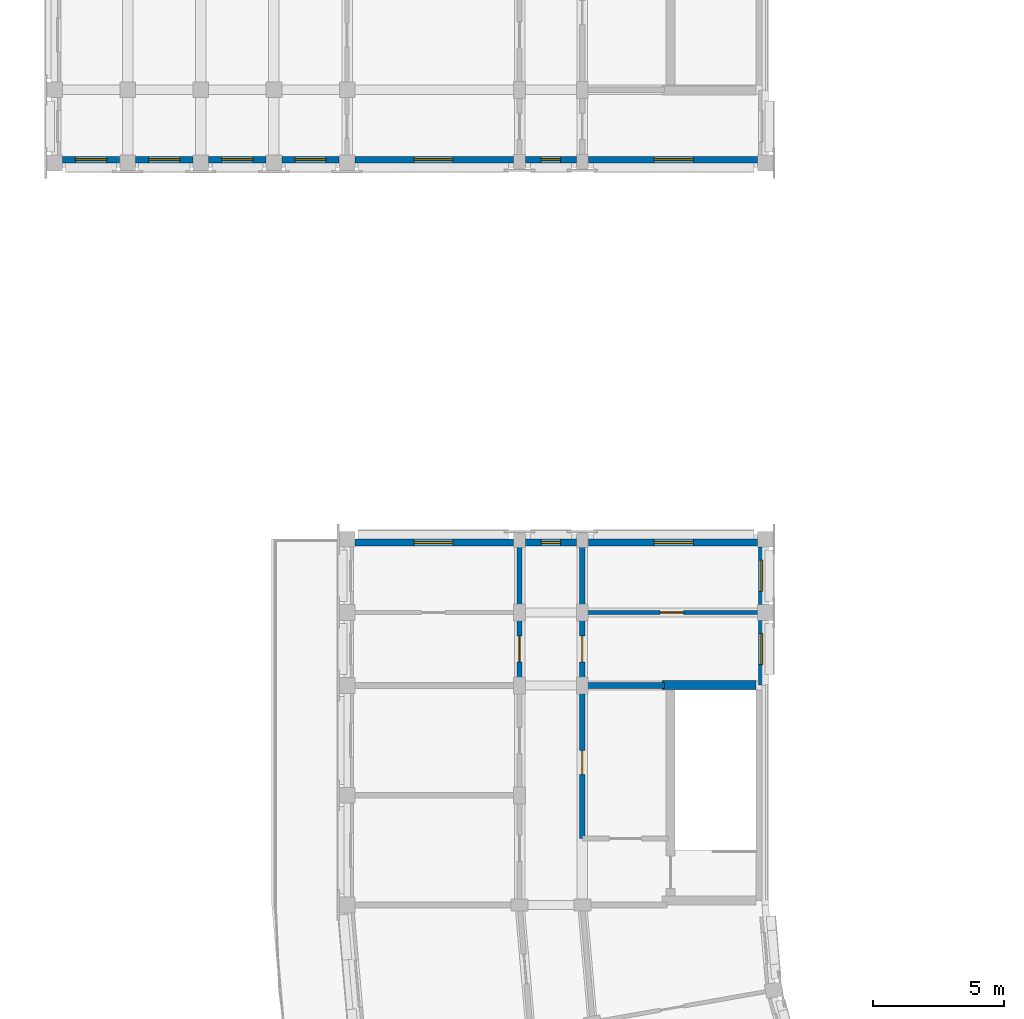
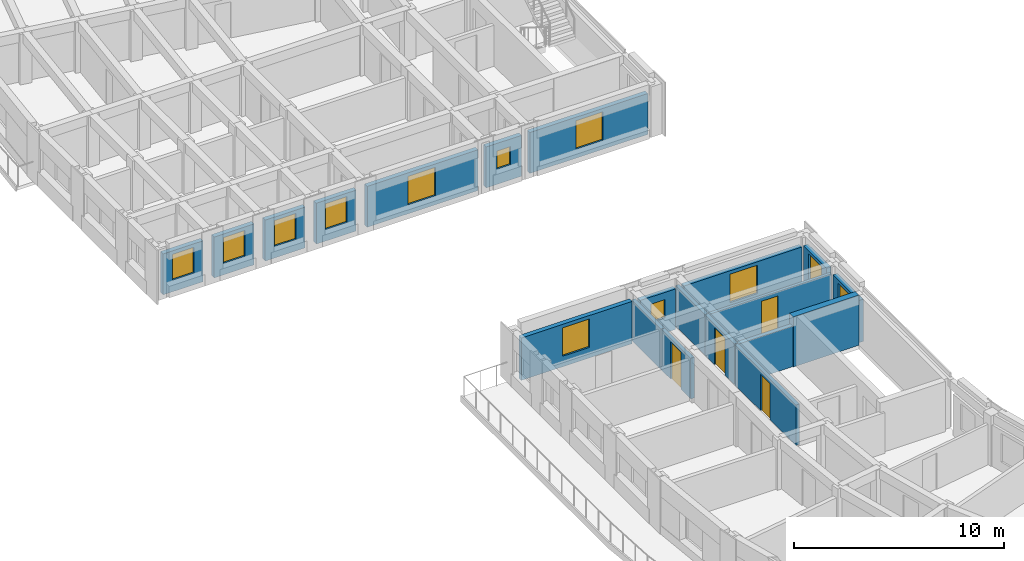
# One storey, part 20 of 53: 20 walls, 12 windows, 4 doors, 16 openings.
"""IFC4 building model written with IfcOpenShell, lengths in metres."""

from ifc_helpers import new_model, si_unit, direction, frame, frame_2d, origin, place, context, subcontext, project, spatial, rectangle, extrude, material, layer, layer_set, type_object, element, fill, save


model = new_model("IFC4")

# Units and contexts
model_context = context("Model", 3, precision=1e-05, world=origin(), true_north=direction((0.0, 1.0)))
body_context = subcontext(model_context, "Body", "Model", "MODEL_VIEW")
ifc_project = project(units=[si_unit("LENGTHUNIT", "METRE"), si_unit("AREAUNIT", "SQUARE_METRE"), si_unit("VOLUMEUNIT", "CUBIC_METRE"), si_unit("PLANEANGLEUNIT", "RADIAN"), si_unit("MASSUNIT", "GRAM", prefix="KILO")], contexts=[model_context])

# Site, building, storey
site_placement = place(None, origin())
site = spatial("IfcSite", under=ifc_project, at=site_placement, CompositionType="ELEMENT")
building_placement = place(site_placement, origin())
building = spatial("IfcBuilding", under=site, at=building_placement, Name="Kiranvali Square Residences", CompositionType="ELEMENT")
storey_placement = place(building_placement, frame((0.0, 0.0, 30.75)))
storey = spatial("IfcBuildingStorey", under=building, at=storey_placement, Name="L09", CompositionType="ELEMENT", Elevation=30.75)

# Wall, opening, door
ifc_material_1 = material(Name="Autoclaved aerated concrete blockwork masonry", Category="masonry")
ifc_layer_1 = layer(ifc_material_1, 0.199951171875)
ifc_layer_set_1 = layer_set([ifc_layer_1], Name="Autoclaved aerated concrete blockwork masonry")
wall_type_1 = type_object("IfcWallType", Name="WL-COR-200", PredefinedType="STANDARD", material=ifc_layer_set_1)
wall_1_placement = place(storey_placement, frame((22.39990234375, 50.75, 0.0), z_axis=(0.0, 0.0, 1.0), x_axis=(0.0, 1.0, 0.0)))
wall_1 = element("IfcWall", 1, at=wall_1_placement, inside=storey, type_object=wall_type_1, Name="L09 architectural wall WL-L09-C-S3-COR", PredefinedType="STANDARD", context=body_context, shape_type="SweptSolid", body=[
    extrude(rectangle(XDim=5.800048828125, YDim=0.199951171875, at=frame_2d((2.89990234375, 0.0))), origin(), (0.0, 0.0, 1.0), 2.35205078125),
])
opening_1_placement = place(wall_1_placement, frame((2.43994140625, 0.0, 0.0)))
opening_1 = element("IfcOpeningElement", 2, at=opening_1_placement, cuts=wall_1, Name="Opening FD-SVC-120", PredefinedType="OPENING", context=body_context, shape_type="SweptSolid", body=[
    extrude(rectangle(XDim=0.919921875, YDim=2.10009765625, at=frame_2d((0.4599609375, 1.050048828125))), frame((0.0, 0.10986328125, 0.0), z_axis=(0.0, -1.0, 0.0), x_axis=(1.0, 0.0, 0.0)), (0.0, 0.0, 1.0), 0.219970703125),
])
ifc_material_2 = material(Name="Fire-rated acoustic hardwood and mineral-core door assembly", Category="wood")
door_type_1 = type_object("IfcDoorType", Name="DR-SVC-900", OperationType="NOTDEFINED", PredefinedType="DOOR", material=ifc_material_2)
door_1_placement = place(opening_1_placement, origin())
door_1 = element("IfcDoor", 3, at=door_1_placement, inside=storey, type_object=door_type_1, Name="L09 door DR-L09-2265 (DR-SVC-900)", OperationType="SINGLE_SWING_LEFT", OverallHeight=2.10009765625, OverallWidth=0.919921875, PredefinedType="DOOR", context=body_context, shape_type="SweptSolid", body=[
    extrude(rectangle(XDim=0.919921875, YDim=2.10009765625, at=frame_2d((0.4599609375, 1.050048828125))), frame((0.0, 0.02490234375, 0.0), z_axis=(0.0, -1.0, 0.0), x_axis=(1.0, 0.0, 0.0)), (0.0, 0.0, 1.0), 0.050048828125),
])
fill(opening_1, door_1)

wall_2_placement = place(storey_placement, frame((22.39990234375, 56.60009765625, 0.0), z_axis=(0.0, 0.0, 1.0), x_axis=(0.0, 1.0, 0.0)))
wall_2 = element("IfcWall", 4, at=wall_2_placement, inside=storey, type_object=wall_type_1, Name="L09 architectural wall WL-L09-C-A2CI-0", PredefinedType="STANDARD", context=body_context, shape_type="SweptSolid", body=[
    extrude(rectangle(XDim=2.7998046875, YDim=0.199951171875, at=frame_2d((1.39990234375, 0.0))), origin(), (0.0, 0.0, 1.0), 2.35205078125),
])
opening_2_placement = place(wall_2_placement, frame((0.89990234375, 0.0, 0.0)))
opening_2 = element("IfcOpeningElement", 5, at=opening_2_placement, cuts=wall_2, Name="Opening FD-APT-60", PredefinedType="OPENING", context=body_context, shape_type="SweptSolid", body=[
    extrude(rectangle(XDim=1.0, YDim=2.14990234375, at=frame_2d((0.5, 1.074951171875))), frame((0.0, 0.10986328125, 0.0), z_axis=(0.0, -1.0, 0.0), x_axis=(1.0, 0.0, 0.0)), (0.0, 0.0, 1.0), 0.219970703125),
])
door_type_2 = type_object("IfcDoorType", Name="DR-APT-1000", OperationType="NOTDEFINED", PredefinedType="DOOR", material=ifc_material_2)
door_2_placement = place(opening_2_placement, frame((1.0, 0.0, 0.0), z_axis=(0.0, 0.0, 1.0), x_axis=(-1.0, 0.0, 0.0)))
door_2 = element("IfcDoor", 6, at=door_2_placement, inside=storey, type_object=door_type_2, Name="L09 door DR-L09-2292 (DR-APT-1000)", OperationType="SINGLE_SWING_RIGHT", OverallHeight=2.14990234375, OverallWidth=1.0, PredefinedType="DOOR", context=body_context, shape_type="SweptSolid", body=[
    extrude(rectangle(XDim=1.0, YDim=2.14990234375, at=frame_2d((0.5, 1.074951171875))), frame((0.0, 0.02490234375, 0.0), z_axis=(0.0, -1.0, 0.0), x_axis=(1.0, 0.0, 0.0)), (0.0, 0.0, 1.0), 0.050048828125),
])
fill(opening_2, door_2)

wall_3_placement = place(storey_placement, frame((20.0, 56.60009765625, 0.0), z_axis=(0.0, 0.0, 1.0), x_axis=(0.0, 1.0, 0.0)))
wall_3 = element("IfcWall", 7, at=wall_3_placement, inside=storey, type_object=wall_type_1, Name="L09 architectural wall WL-L09-C-A2CO-0", PredefinedType="STANDARD", context=body_context, shape_type="SweptSolid", body=[
    extrude(rectangle(XDim=2.7998046875, YDim=0.199951171875, at=frame_2d((1.39990234375, 0.0))), origin(), (0.0, 0.0, 1.0), 2.35205078125),
])
opening_3_placement = place(wall_3_placement, frame((0.89990234375, 0.0, 0.0)))
opening_3 = element("IfcOpeningElement", 8, at=opening_3_placement, cuts=wall_3, Name="Opening FD-APT-60", PredefinedType="OPENING", context=body_context, shape_type="SweptSolid", body=[
    extrude(rectangle(XDim=1.0, YDim=2.14990234375, at=frame_2d((0.5, 1.074951171875))), frame((0.0, 0.10986328125, 0.0), z_axis=(0.0, -1.0, 0.0), x_axis=(1.0, 0.0, 0.0)), (0.0, 0.0, 1.0), 0.219970703125),
])
door_3_placement = place(opening_3_placement, origin())
door_3 = element("IfcDoor", 9, at=door_3_placement, inside=storey, type_object=door_type_2, Name="L09 door DR-L09-2293 (DR-APT-1000)", OperationType="SINGLE_SWING_LEFT", OverallHeight=2.14990234375, OverallWidth=1.0, PredefinedType="DOOR", context=body_context, shape_type="SweptSolid", body=[
    extrude(rectangle(XDim=1.0, YDim=2.14990234375, at=frame_2d((0.5, 1.074951171875))), frame((0.0, 0.02490234375, 0.0), z_axis=(0.0, -1.0, 0.0), x_axis=(1.0, 0.0, 0.0)), (0.0, 0.0, 1.0), 0.050048828125),
])
fill(opening_3, door_3)

# Walls
for number, where, z_axis, x_axis, name in (
    (10, (22.39990234375, 59.39990234375, 0.0), (0.0, 0.0, 1.0), (0.0, 1.0, 0.0), "L09 architectural wall WL-L09-C-A2CI-1"),
    (11, (20.0, 59.39990234375, 0.0), (0.0, 0.0, 1.0), (0.0, 1.0, 0.0), "L09 architectural wall WL-L09-C-A2CO-1"),
):
    element("IfcWall", number, at=place(storey_placement, frame(where, z_axis=z_axis, x_axis=x_axis)), inside=storey, type_object=wall_type_1, Name=name, PredefinedType="STANDARD", context=body_context, shape_type="SweptSolid", body=[
        extrude(rectangle(XDim=2.800048828125, YDim=0.199951171875, at=frame_2d((1.39990234375, 0.0))), origin(), (0.0, 0.0, 1.0), 2.35205078125),
    ])
ifc_layer_2 = layer(ifc_material_1, 0.219970703125)
ifc_layer_set_2 = layer_set([ifc_layer_2], Name="Autoclaved aerated concrete blockwork masonry")
wall_type_2 = type_object("IfcWallType", Name="WL-DEM-220", PredefinedType="STANDARD", material=ifc_layer_set_2)
wall_4_placement = place(storey_placement, frame((25.550048828125, 56.60009765625, 0.0), z_axis=(0.0, 0.0, 1.0), x_axis=(-1.0, 0.0, 0.0)))
element("IfcWall", 12, at=wall_4_placement, inside=storey, type_object=wall_type_2, Name="L09 architectural wall WL-L09-C-A2TI-0", PredefinedType="STANDARD", context=body_context, shape_type="SweptSolid", body=[
    extrude(rectangle(XDim=3.10009765625, YDim=0.219970703125, at=frame_2d((1.550048828125, 0.0))), origin(), (0.0, 0.0, 1.0), 2.35205078125),
])

# Wall, opening, window
ifc_material_3 = material(Name="Breathable lime-rendered clay brick masonry", Category="masonry")
ifc_layer_3 = layer(ifc_material_3, 0.25)
ifc_layer_set_3 = layer_set([ifc_layer_3], Name="Breathable lime-rendered clay brick masonry")
wall_type_3 = type_object("IfcWallType", Name="WL-EXT-250", PredefinedType="STANDARD", material=ifc_layer_set_3)
wall_5_placement = place(storey_placement, frame((29.096435546875, 76.72509765625, 0.0), z_axis=(0.0, 0.0, 1.0), x_axis=(-1.0, 0.0, 0.0)))
wall_5 = element("IfcWall", 13, at=wall_5_placement, inside=storey, type_object=wall_type_3, Name="L09 exterior wall A-L09-A2END-0", PredefinedType="STANDARD", context=body_context, shape_type="SweptSolid", body=[
    extrude(rectangle(XDim=6.468017578125, YDim=0.25, at=frame_2d((3.23388671875, 0.0))), origin(), (0.0, 0.0, 1.0), 2.3720703125),
])
opening_4_placement = place(wall_5_placement, frame((2.446533203125, 0.0, 0.52197265625)))
opening_4 = element("IfcOpeningElement", 14, at=opening_4_placement, cuts=wall_5, Name="Opening W-05", PredefinedType="OPENING", context=body_context, shape_type="SweptSolid", body=[
    extrude(rectangle(XDim=1.5, YDim=1.64990234375, at=frame_2d((0.75, 0.824951171875))), frame((0.0, 0.135009765625, 0.0), z_axis=(0.0, -1.0, 0.0), x_axis=(1.0, 0.0, 0.0)), (0.0, 0.0, 1.0), 0.27001953125),
])
ifc_material_4 = material(Name="Solar-control low-e double glazing", Category="glass")
window_type_1 = type_object("IfcWindowType", Name="WIN-RES-1500x1650", PartitioningType="DOUBLE_PANEL_VERTICAL", PredefinedType="WINDOW", material=ifc_material_4)
window_1_placement = place(opening_4_placement, origin())
window_1 = element("IfcWindow", 15, at=window_1_placement, inside=storey, type_object=window_type_1, Name="L09 recessed window A-L09-A2END-0", OverallHeight=1.64990234375, OverallWidth=1.5, PartitioningType="DOUBLE_PANEL_VERTICAL", PredefinedType="WINDOW", context=body_context, shape_type="SweptSolid", body=[
    extrude(rectangle(XDim=1.5, YDim=1.64990234375, at=frame_2d((0.75, 0.824951171875))), frame((0.0, 0.030029296875, 0.0), z_axis=(0.0, -1.0, 0.0), x_axis=(1.0, 0.0, 0.0)), (0.0, 0.0, 1.0), 0.06005859375),
])
fill(opening_4, window_1)

wall_6_placement = place(storey_placement, frame((22.17138671875, 76.72509765625, 0.0), z_axis=(0.0, 0.0, 1.0), x_axis=(-1.0, 0.0, 0.0)))
wall_6 = element("IfcWall", 16, at=wall_6_placement, inside=storey, type_object=wall_type_3, Name="L09 exterior wall A-L09-A2END-1", PredefinedType="STANDARD", context=body_context, shape_type="SweptSolid", body=[
    extrude(rectangle(XDim=1.94287109375, YDim=0.25, at=frame_2d((0.971435546875, 0.0))), origin(), (0.0, 0.0, 1.0), 2.3720703125),
])
opening_5_placement = place(wall_6_placement, frame((0.596435546875, 0.0, 0.8798828125)))
opening_5 = element("IfcOpeningElement", 17, at=opening_5_placement, cuts=wall_6, Name="Opening W-07", PredefinedType="OPENING", context=body_context, shape_type="SweptSolid", body=[
    extrude(rectangle(XDim=0.75, YDim=1.050048828125, at=frame_2d((0.375, 0.52490234375))), frame((0.0, 0.135009765625, 0.0), z_axis=(0.0, -1.0, 0.0), x_axis=(1.0, 0.0, 0.0)), (0.0, 0.0, 1.0), 0.27001953125),
])
window_type_2 = type_object("IfcWindowType", Name="WIN-WET-750x1050", PartitioningType="SINGLE_PANEL", PredefinedType="WINDOW", material=ifc_material_4)
window_2_placement = place(opening_5_placement, origin())
window_2 = element("IfcWindow", 18, at=window_2_placement, inside=storey, type_object=window_type_2, Name="L09 recessed window A-L09-A2END-1", OverallHeight=1.050048828125, OverallWidth=0.75, PartitioningType="SINGLE_PANEL", PredefinedType="WINDOW", context=body_context, shape_type="SweptSolid", body=[
    extrude(rectangle(XDim=0.75, YDim=1.050048828125, at=frame_2d((0.375, 0.52490234375))), frame((0.0, 0.030029296875, 0.0), z_axis=(0.0, -1.0, 0.0), x_axis=(1.0, 0.0, 0.0)), (0.0, 0.0, 1.0), 0.06005859375),
])
fill(opening_5, window_2)

wall_7_placement = place(storey_placement, frame((19.771484375, 76.72509765625, 0.0), z_axis=(0.0, 0.0, 1.0), x_axis=(-1.0, 0.0, 0.0)))
wall_7 = element("IfcWall", 19, at=wall_7_placement, inside=storey, type_object=wall_type_3, Name="L09 exterior wall A-L09-A2END-2", PredefinedType="STANDARD", context=body_context, shape_type="SweptSolid", body=[
    extrude(rectangle(XDim=6.06787109375, YDim=0.25, at=frame_2d((3.033935546875, 0.0))), origin(), (0.0, 0.0, 1.0), 2.3720703125),
])
opening_6_placement = place(wall_7_placement, frame((2.321533203125, 0.0, 0.52197265625)))
opening_6 = element("IfcOpeningElement", 20, at=opening_6_placement, cuts=wall_7, Name="Opening W-05", PredefinedType="OPENING", context=body_context, shape_type="SweptSolid", body=[
    extrude(rectangle(XDim=1.5, YDim=1.64990234375, at=frame_2d((0.75, 0.824951171875))), frame((0.0, 0.135009765625, 0.0), z_axis=(0.0, -1.0, 0.0), x_axis=(1.0, 0.0, 0.0)), (0.0, 0.0, 1.0), 0.27001953125),
])
window_3_placement = place(opening_6_placement, origin())
window_3 = element("IfcWindow", 21, at=window_3_placement, inside=storey, type_object=window_type_1, Name="L09 recessed window A-L09-A2END-2", OverallHeight=1.64990234375, OverallWidth=1.5, PartitioningType="DOUBLE_PANEL_VERTICAL", PredefinedType="WINDOW", context=body_context, shape_type="SweptSolid", body=[
    extrude(rectangle(XDim=1.5, YDim=1.64990234375, at=frame_2d((0.75, 0.824951171875))), frame((0.0, 0.030029296875, 0.0), z_axis=(0.0, -1.0, 0.0), x_axis=(1.0, 0.0, 0.0)), (0.0, 0.0, 1.0), 0.06005859375),
])
fill(opening_6, window_3)

wall_8_placement = place(storey_placement, frame((13.096435546875, 76.72509765625, 0.0), z_axis=(0.0, 0.0, 1.0), x_axis=(-1.0, 0.0, 0.0)))
wall_8 = element("IfcWall", 22, at=wall_8_placement, inside=storey, type_object=wall_type_3, Name="L09 exterior wall A-L09-A2END-3", PredefinedType="STANDARD", context=body_context, shape_type="SweptSolid", body=[
    extrude(rectangle(XDim=2.19287109375, YDim=0.25, at=frame_2d((1.096435546875, 0.0))), origin(), (0.0, 0.0, 1.0), 2.3720703125),
])
opening_7_placement = place(wall_8_placement, frame((0.49658203125, 0.0, 0.672119140625)))
opening_7 = element("IfcOpeningElement", 23, at=opening_7_placement, cuts=wall_8, Name="Opening W-06", PredefinedType="OPENING", context=body_context, shape_type="SweptSolid", body=[
    extrude(rectangle(XDim=1.199951171875, YDim=1.5, at=frame_2d((0.60009765625, 0.75))), frame((0.0, 0.135009765625, 0.0), z_axis=(0.0, -1.0, 0.0), x_axis=(1.0, 0.0, 0.0)), (0.0, 0.0, 1.0), 0.27001953125),
])
window_type_3 = type_object("IfcWindowType", Name="WIN-RES-1200x1500", PartitioningType="SINGLE_PANEL", PredefinedType="WINDOW", material=ifc_material_4)
window_4_placement = place(opening_7_placement, origin())
window_4 = element("IfcWindow", 24, at=window_4_placement, inside=storey, type_object=window_type_3, Name="L09 recessed window A-L09-A2END-3", OverallHeight=1.5, OverallWidth=1.199951171875, PartitioningType="SINGLE_PANEL", PredefinedType="WINDOW", context=body_context, shape_type="SweptSolid", body=[
    extrude(rectangle(XDim=1.199951171875, YDim=1.5, at=frame_2d((0.60009765625, 0.75))), frame((0.0, 0.030029296875, 0.0), z_axis=(0.0, -1.0, 0.0), x_axis=(1.0, 0.0, 0.0)), (0.0, 0.0, 1.0), 0.06005859375),
])
fill(opening_7, window_4)

wall_9_placement = place(storey_placement, frame((10.29638671875, 76.72509765625, 0.0), z_axis=(0.0, 0.0, 1.0), x_axis=(-1.0, 0.0, 0.0)))
wall_9 = element("IfcWall", 25, at=wall_9_placement, inside=storey, type_object=wall_type_3, Name="L09 exterior wall A-L09-A2END-4", PredefinedType="STANDARD", context=body_context, shape_type="SweptSolid", body=[
    extrude(rectangle(XDim=2.19287109375, YDim=0.25, at=frame_2d((1.096435546875, 0.0))), origin(), (0.0, 0.0, 1.0), 2.3720703125),
])
opening_8_placement = place(wall_9_placement, frame((0.49658203125, 0.0, 0.672119140625)))
opening_8 = element("IfcOpeningElement", 26, at=opening_8_placement, cuts=wall_9, Name="Opening W-06", PredefinedType="OPENING", context=body_context, shape_type="SweptSolid", body=[
    extrude(rectangle(XDim=1.199951171875, YDim=1.5, at=frame_2d((0.60009765625, 0.75))), frame((0.0, 0.135009765625, 0.0), z_axis=(0.0, -1.0, 0.0), x_axis=(1.0, 0.0, 0.0)), (0.0, 0.0, 1.0), 0.27001953125),
])
window_5_placement = place(opening_8_placement, origin())
window_5 = element("IfcWindow", 27, at=window_5_placement, inside=storey, type_object=window_type_3, Name="L09 recessed window A-L09-A2END-4", OverallHeight=1.5, OverallWidth=1.199951171875, PartitioningType="SINGLE_PANEL", PredefinedType="WINDOW", context=body_context, shape_type="SweptSolid", body=[
    extrude(rectangle(XDim=1.199951171875, YDim=1.5, at=frame_2d((0.60009765625, 0.75))), frame((0.0, 0.030029296875, 0.0), z_axis=(0.0, -1.0, 0.0), x_axis=(1.0, 0.0, 0.0)), (0.0, 0.0, 1.0), 0.06005859375),
])
fill(opening_8, window_5)

wall_10_placement = place(storey_placement, frame((7.49658203125, 76.72509765625, 0.0), z_axis=(0.0, 0.0, 1.0), x_axis=(-1.0, 0.0, 0.0)))
wall_10 = element("IfcWall", 28, at=wall_10_placement, inside=storey, type_object=wall_type_3, Name="L09 exterior wall A-L09-A2END-5", PredefinedType="STANDARD", context=body_context, shape_type="SweptSolid", body=[
    extrude(rectangle(XDim=2.193115234375, YDim=0.25, at=frame_2d((1.0966796875, 0.0))), origin(), (0.0, 0.0, 1.0), 2.3720703125),
])
opening_9_placement = place(wall_10_placement, frame((0.49658203125, 0.0, 0.672119140625)))
opening_9 = element("IfcOpeningElement", 29, at=opening_9_placement, cuts=wall_10, Name="Opening W-06", PredefinedType="OPENING", context=body_context, shape_type="SweptSolid", body=[
    extrude(rectangle(XDim=1.199951171875, YDim=1.5, at=frame_2d((0.60009765625, 0.75))), frame((0.0, 0.135009765625, 0.0), z_axis=(0.0, -1.0, 0.0), x_axis=(1.0, 0.0, 0.0)), (0.0, 0.0, 1.0), 0.27001953125),
])
window_6_placement = place(opening_9_placement, origin())
window_6 = element("IfcWindow", 30, at=window_6_placement, inside=storey, type_object=window_type_3, Name="L09 recessed window A-L09-A2END-5", OverallHeight=1.5, OverallWidth=1.199951171875, PartitioningType="SINGLE_PANEL", PredefinedType="WINDOW", context=body_context, shape_type="SweptSolid", body=[
    extrude(rectangle(XDim=1.199951171875, YDim=1.5, at=frame_2d((0.60009765625, 0.75))), frame((0.0, 0.030029296875, 0.0), z_axis=(0.0, -1.0, 0.0), x_axis=(1.0, 0.0, 0.0)), (0.0, 0.0, 1.0), 0.06005859375),
])
fill(opening_9, window_6)

wall_11_placement = place(storey_placement, frame((4.696533203125, 76.72509765625, 0.0), z_axis=(0.0, 0.0, 1.0), x_axis=(-1.0, 0.0, 0.0)))
wall_11 = element("IfcWall", 31, at=wall_11_placement, inside=storey, type_object=wall_type_3, Name="L09 exterior wall A-L09-A2END-6", PredefinedType="STANDARD", context=body_context, shape_type="SweptSolid", body=[
    extrude(rectangle(XDim=2.193115234375, YDim=0.25, at=frame_2d((1.0966796875, 0.0))), origin(), (0.0, 0.0, 1.0), 2.3720703125),
])
opening_10_placement = place(wall_11_placement, frame((0.49658203125, 0.0, 0.672119140625)))
opening_10 = element("IfcOpeningElement", 32, at=opening_10_placement, cuts=wall_11, Name="Opening W-06", PredefinedType="OPENING", context=body_context, shape_type="SweptSolid", body=[
    extrude(rectangle(XDim=1.199951171875, YDim=1.5, at=frame_2d((0.60009765625, 0.75))), frame((0.0, 0.135009765625, 0.0), z_axis=(0.0, -1.0, 0.0), x_axis=(1.0, 0.0, 0.0)), (0.0, 0.0, 1.0), 0.27001953125),
])
window_7_placement = place(opening_10_placement, origin())
window_7 = element("IfcWindow", 33, at=window_7_placement, inside=storey, type_object=window_type_3, Name="L09 recessed window A-L09-A2END-6", OverallHeight=1.5, OverallWidth=1.199951171875, PartitioningType="SINGLE_PANEL", PredefinedType="WINDOW", context=body_context, shape_type="SweptSolid", body=[
    extrude(rectangle(XDim=1.199951171875, YDim=1.5, at=frame_2d((0.60009765625, 0.75))), frame((0.0, 0.030029296875, 0.0), z_axis=(0.0, -1.0, 0.0), x_axis=(1.0, 0.0, 0.0)), (0.0, 0.0, 1.0), 0.06005859375),
])
fill(opening_10, window_7)

wall_12_placement = place(storey_placement, frame((29.27490234375, 56.62841796875, 0.0), z_axis=(0.0, 0.0, 1.0), x_axis=(0.0, 1.0, 0.0)))
wall_12 = element("IfcWall", 34, at=wall_12_placement, inside=storey, type_object=wall_type_3, Name="L09 exterior wall C-L09-A2I-0", PredefinedType="STANDARD", context=body_context, shape_type="SweptSolid", body=[
    extrude(rectangle(XDim=2.468017578125, YDim=0.25, at=frame_2d((1.23388671875, 0.0))), origin(), (0.0, 0.0, 1.0), 2.451904296875),
])
opening_11_placement = place(wall_12_placement, frame((0.771484375, 0.0, 0.751953125)))
opening_11 = element("IfcOpeningElement", 35, at=opening_11_placement, cuts=wall_12, Name="Opening W-06", PredefinedType="OPENING", context=body_context, shape_type="SweptSolid", body=[
    extrude(rectangle(XDim=1.199951171875, YDim=1.5, at=frame_2d((0.60009765625, 0.75))), frame((0.0, 0.135009765625, 0.0), z_axis=(0.0, -1.0, 0.0), x_axis=(1.0, 0.0, 0.0)), (0.0, 0.0, 1.0), 0.27001953125),
])
window_8_placement = place(opening_11_placement, origin())
window_8 = element("IfcWindow", 36, at=window_8_placement, inside=storey, type_object=window_type_3, Name="L09 recessed window C-L09-A2I-0", OverallHeight=1.5, OverallWidth=1.199951171875, PartitioningType="SINGLE_PANEL", PredefinedType="WINDOW", context=body_context, shape_type="SweptSolid", body=[
    extrude(rectangle(XDim=1.199951171875, YDim=1.5, at=frame_2d((0.60009765625, 0.75))), frame((0.0, 0.030029296875, 0.0), z_axis=(0.0, -1.0, 0.0), x_axis=(1.0, 0.0, 0.0)), (0.0, 0.0, 1.0), 0.06005859375),
])
fill(opening_11, window_8)

wall_13_placement = place(storey_placement, frame((29.27490234375, 59.70361328125, 0.0), z_axis=(0.0, 0.0, 1.0), x_axis=(0.0, 1.0, 0.0)))
wall_13 = element("IfcWall", 37, at=wall_13_placement, inside=storey, type_object=wall_type_3, Name="L09 exterior wall C-L09-A2I-1", PredefinedType="STANDARD", context=body_context, shape_type="SweptSolid", body=[
    extrude(rectangle(XDim=2.19287109375, YDim=0.25, at=frame_2d((1.096435546875, 0.0))), origin(), (0.0, 0.0, 1.0), 2.451904296875),
])
opening_12_placement = place(wall_13_placement, frame((0.49658203125, 0.0, 0.751953125)))
opening_12 = element("IfcOpeningElement", 38, at=opening_12_placement, cuts=wall_13, Name="Opening W-06", PredefinedType="OPENING", context=body_context, shape_type="SweptSolid", body=[
    extrude(rectangle(XDim=1.199951171875, YDim=1.5, at=frame_2d((0.60009765625, 0.75))), frame((0.0, 0.135009765625, 0.0), z_axis=(0.0, -1.0, 0.0), x_axis=(1.0, 0.0, 0.0)), (0.0, 0.0, 1.0), 0.27001953125),
])
window_9_placement = place(opening_12_placement, origin())
window_9 = element("IfcWindow", 39, at=window_9_placement, inside=storey, type_object=window_type_3, Name="L09 recessed window C-L09-A2I-1", OverallHeight=1.5, OverallWidth=1.199951171875, PartitioningType="SINGLE_PANEL", PredefinedType="WINDOW", context=body_context, shape_type="SweptSolid", body=[
    extrude(rectangle(XDim=1.199951171875, YDim=1.5, at=frame_2d((0.60009765625, 0.75))), frame((0.0, 0.030029296875, 0.0), z_axis=(0.0, -1.0, 0.0), x_axis=(1.0, 0.0, 0.0)), (0.0, 0.0, 1.0), 0.06005859375),
])
fill(opening_12, window_9)

wall_14_placement = place(storey_placement, frame((29.096435546875, 62.074951171875, 0.0), z_axis=(0.0, 0.0, 1.0), x_axis=(-1.0, 0.0, 0.0)))
wall_14 = element("IfcWall", 40, at=wall_14_placement, inside=storey, type_object=wall_type_3, Name="L09 exterior wall C-L09-A2END-0", PredefinedType="STANDARD", context=body_context, shape_type="SweptSolid", body=[
    extrude(rectangle(XDim=6.468017578125, YDim=0.25, at=frame_2d((3.23388671875, 0.0))), origin(), (0.0, 0.0, 1.0), 2.35205078125),
])
opening_13_placement = place(wall_14_placement, frame((2.446533203125, 0.0, 0.501953125)))
opening_13 = element("IfcOpeningElement", 41, at=opening_13_placement, cuts=wall_14, Name="Opening W-05", PredefinedType="OPENING", context=body_context, shape_type="SweptSolid", body=[
    extrude(rectangle(XDim=1.5, YDim=1.64990234375, at=frame_2d((0.75, 0.824951171875))), frame((0.0, 0.135009765625, 0.0), z_axis=(0.0, -1.0, 0.0), x_axis=(1.0, 0.0, 0.0)), (0.0, 0.0, 1.0), 0.27001953125),
])
window_10_placement = place(opening_13_placement, origin())
window_10 = element("IfcWindow", 42, at=window_10_placement, inside=storey, type_object=window_type_1, Name="L09 recessed window C-L09-A2END-0", OverallHeight=1.64990234375, OverallWidth=1.5, PartitioningType="DOUBLE_PANEL_VERTICAL", PredefinedType="WINDOW", context=body_context, shape_type="SweptSolid", body=[
    extrude(rectangle(XDim=1.5, YDim=1.64990234375, at=frame_2d((0.75, 0.824951171875))), frame((0.0, 0.030029296875, 0.0), z_axis=(0.0, -1.0, 0.0), x_axis=(1.0, 0.0, 0.0)), (0.0, 0.0, 1.0), 0.06005859375),
])
fill(opening_13, window_10)

wall_15_placement = place(storey_placement, frame((22.17138671875, 62.074951171875, 0.0), z_axis=(0.0, 0.0, 1.0), x_axis=(-1.0, 0.0, 0.0)))
wall_15 = element("IfcWall", 43, at=wall_15_placement, inside=storey, type_object=wall_type_3, Name="L09 exterior wall C-L09-A2END-1", PredefinedType="STANDARD", context=body_context, shape_type="SweptSolid", body=[
    extrude(rectangle(XDim=1.94287109375, YDim=0.25, at=frame_2d((0.971435546875, 0.0))), origin(), (0.0, 0.0, 1.0), 2.35205078125),
])
opening_14_placement = place(wall_15_placement, frame((0.596435546875, 0.0, 0.8798828125)))
opening_14 = element("IfcOpeningElement", 44, at=opening_14_placement, cuts=wall_15, Name="Opening W-07", PredefinedType="OPENING", context=body_context, shape_type="SweptSolid", body=[
    extrude(rectangle(XDim=0.75, YDim=1.050048828125, at=frame_2d((0.375, 0.52490234375))), frame((0.0, 0.135009765625, 0.0), z_axis=(0.0, -1.0, 0.0), x_axis=(1.0, 0.0, 0.0)), (0.0, 0.0, 1.0), 0.27001953125),
])
window_11_placement = place(opening_14_placement, origin())
window_11 = element("IfcWindow", 45, at=window_11_placement, inside=storey, type_object=window_type_2, Name="L09 recessed window C-L09-A2END-1", OverallHeight=1.050048828125, OverallWidth=0.75, PartitioningType="SINGLE_PANEL", PredefinedType="WINDOW", context=body_context, shape_type="SweptSolid", body=[
    extrude(rectangle(XDim=0.75, YDim=1.050048828125, at=frame_2d((0.375, 0.52490234375))), frame((0.0, 0.030029296875, 0.0), z_axis=(0.0, -1.0, 0.0), x_axis=(1.0, 0.0, 0.0)), (0.0, 0.0, 1.0), 0.06005859375),
])
fill(opening_14, window_11)

wall_16_placement = place(storey_placement, frame((19.771484375, 62.074951171875, 0.0), z_axis=(0.0, 0.0, 1.0), x_axis=(-1.0, 0.0, 0.0)))
wall_16 = element("IfcWall", 46, at=wall_16_placement, inside=storey, type_object=wall_type_3, Name="L09 exterior wall C-L09-A2END-2", PredefinedType="STANDARD", context=body_context, shape_type="SweptSolid", body=[
    extrude(rectangle(XDim=6.06787109375, YDim=0.25, at=frame_2d((3.033935546875, 0.0))), origin(), (0.0, 0.0, 1.0), 2.4599609375),
])
opening_15_placement = place(wall_16_placement, frame((2.321533203125, 0.0, 0.610107421875)))
opening_15 = element("IfcOpeningElement", 47, at=opening_15_placement, cuts=wall_16, Name="Opening W-05", PredefinedType="OPENING", context=body_context, shape_type="SweptSolid", body=[
    extrude(rectangle(XDim=1.5, YDim=1.64990234375, at=frame_2d((0.75, 0.824951171875))), frame((0.0, 0.135009765625, 0.0), z_axis=(0.0, -1.0, 0.0), x_axis=(1.0, 0.0, 0.0)), (0.0, 0.0, 1.0), 0.27001953125),
])
window_12_placement = place(opening_15_placement, origin())
window_12 = element("IfcWindow", 48, at=window_12_placement, inside=storey, type_object=window_type_1, Name="L09 recessed window C-L09-A2END-2", OverallHeight=1.64990234375, OverallWidth=1.5, PartitioningType="DOUBLE_PANEL_VERTICAL", PredefinedType="WINDOW", context=body_context, shape_type="SweptSolid", body=[
    extrude(rectangle(XDim=1.5, YDim=1.64990234375, at=frame_2d((0.75, 0.824951171875))), frame((0.0, 0.030029296875, 0.0), z_axis=(0.0, -1.0, 0.0), x_axis=(1.0, 0.0, 0.0)), (0.0, 0.0, 1.0), 0.06005859375),
])
fill(opening_15, window_12)

# Wall, opening, door
ifc_material_5 = material(Name="Acoustic gypsum board drylined partition", Category="gypsum")
ifc_layer_4 = layer(ifc_material_5, 0.14990234375)
ifc_layer_set_4 = layer_set([ifc_layer_4], Name="Acoustic gypsum board drylined partition")
wall_type_4 = type_object("IfcWallType", Name="WL-PRT-150", PredefinedType="PARTITIONING", material=ifc_layer_set_4)
wall_17_placement = place(storey_placement, frame((29.199951171875, 59.39990234375, 0.0), z_axis=(0.0, 0.0, 1.0), x_axis=(-1.0, 0.0, 0.0)))
wall_17 = element("IfcWall", 49, at=wall_17_placement, inside=storey, type_object=wall_type_4, Name="L09 architectural wall WL-L09-C-A2TI-1", PredefinedType="PARTITIONING", context=body_context, shape_type="SweptSolid", body=[
    extrude(rectangle(XDim=6.75, YDim=0.14990234375, at=frame_2d((3.375, 0.0))), origin(), (0.0, 0.0, 1.0), 2.35205078125),
])
opening_16_placement = place(wall_17_placement, frame((2.925048828125, 0.0, 0.0)))
opening_16 = element("IfcOpeningElement", 50, at=opening_16_placement, cuts=wall_17, Name="Opening ID-1", PredefinedType="OPENING", context=body_context, shape_type="SweptSolid", body=[
    extrude(rectangle(XDim=0.89990234375, YDim=2.10009765625, at=frame_2d((0.449951171875, 1.050048828125))), frame((0.0, 0.0849609375, 0.0), z_axis=(0.0, -1.0, 0.0), x_axis=(1.0, 0.0, 0.0)), (0.0, 0.0, 1.0), 0.169921875),
])
ifc_material_6 = material(Name="Solid seasoned teak hardwood joinery", Category="wood")
door_type_3 = type_object("IfcDoorType", Name="DR-INT-900", OperationType="NOTDEFINED", PredefinedType="DOOR", material=ifc_material_6)
door_4_placement = place(opening_16_placement, frame((0.89990234375, 0.0, 0.0), z_axis=(0.0, 0.0, 1.0), x_axis=(-1.0, 0.0, 0.0)))
door_4 = element("IfcDoor", 51, at=door_4_placement, inside=storey, type_object=door_type_3, Name="L09 door DR-L09-2294 (DR-INT-900)", OperationType="SINGLE_SWING_RIGHT", OverallHeight=2.10009765625, OverallWidth=0.89990234375, PredefinedType="DOOR", context=body_context, shape_type="SweptSolid", body=[
    extrude(rectangle(XDim=0.89990234375, YDim=2.10009765625, at=frame_2d((0.449951171875, 1.050048828125))), frame((0.0, 0.02490234375, 0.0), z_axis=(0.0, -1.0, 0.0), x_axis=(1.0, 0.0, 0.0)), (0.0, 0.0, 1.0), 0.050048828125),
])
fill(opening_16, door_4)

# Wall
ifc_material_7 = material(Name="Concrete M45 (45 MPa)", Category="concrete")
ifc_layer_5 = layer(ifc_material_7, 0.320068359375)
ifc_layer_set_5 = layer_set([ifc_layer_5], Name="Concrete M45 (45 MPa)")
wall_type_5 = type_object("IfcWallType", Name="WL-SHR-320", PredefinedType="SHEAR", material=ifc_layer_set_5)
wall_18_placement = place(storey_placement, frame((29.050048828125, 56.625, 0.0), z_axis=(0.0, 0.0, 1.0), x_axis=(-1.0, 0.0, 0.0)))
element("IfcWall", 52, at=wall_18_placement, inside=storey, type_object=wall_type_5, Name="Block C core shear wall SW-C3-FAR-L09", PredefinedType="SHEAR", context=body_context, shape_type="SweptSolid", body=[
    extrude(rectangle(XDim=3.60009765625, YDim=0.35009765625, at=frame_2d((1.800048828125, 0.0))), origin(), (0.0, 0.0, 1.0), 2.909912109375),
])

save(model, "model.ifc")
